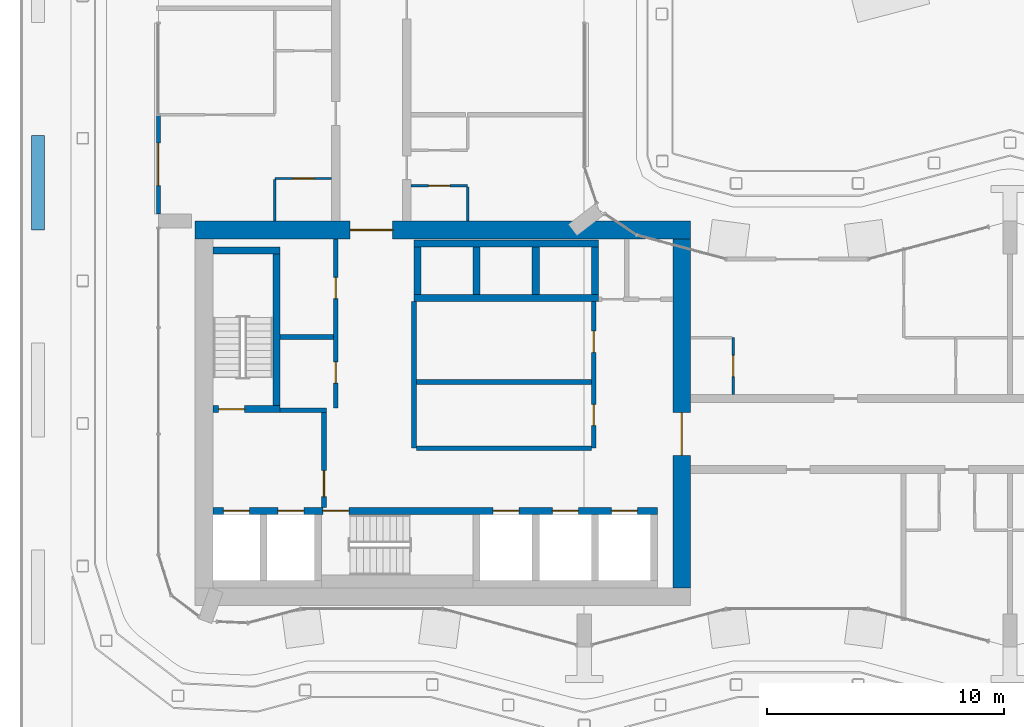
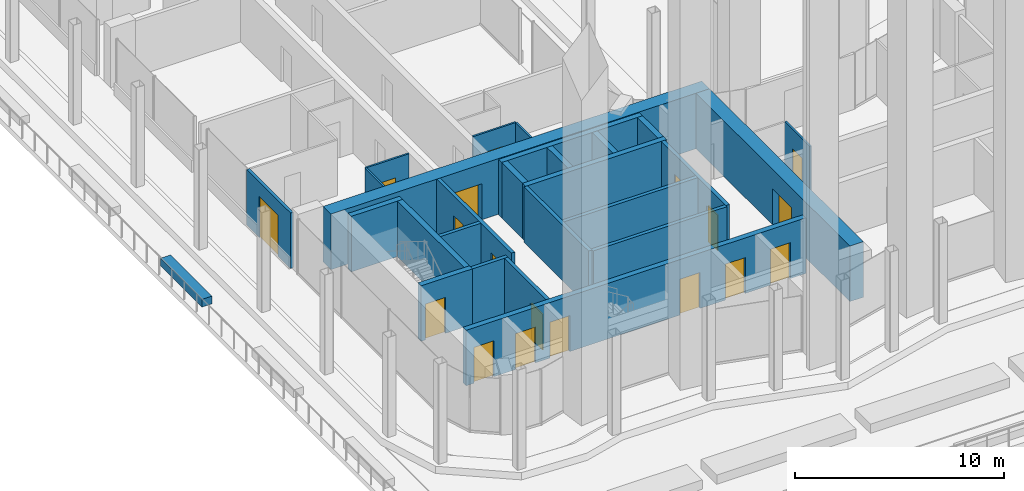
# One storey, part 23 of 33: 27 walls, 18 doors, 18 openings.
"""IFC4 building model written with IfcOpenShell, lengths in metres."""

import ifcopenshell
import ifcopenshell.guid

model = None  # the IFC model being written
_history = None  # IfcOwnerHistory: only IFC2X3 demands one
_inside = {}  # id of a spatial element -> (the spatial element, [elements in it])
_under = {}  # id of a project, library or spatial element -> (it, [spatial elements below it])
_declared = {}  # id of a project -> (the project, [libraries it declares])
_typed = {}  # id of a type object -> (the type object, [elements of that type])
_made_of = {}  # id of a material, layer set ... -> (it, [elements and type objects made of it])


def new_model(schema):
    """Start an empty IFC model of exactly this schema.

    Asked for "IFC4X3", IfcOpenShell would pick the latest addendum, in which some entities
    have other attributes; the version numbers below select the first issue.
    IFC2X3 requires an IfcOwnerHistory on every rooted entity: one is made here for all.
    """
    global model, _history
    if schema == "IFC4X3":
        model = ifcopenshell.file(schema_version=(4, 3, 0, 0))
    else:
        model = ifcopenshell.file(schema=schema)
    _inside.clear()
    _under.clear()
    _declared.clear()
    _typed.clear()
    _made_of.clear()
    _history = None
    if model.schema == "IFC2X3":
        org = make("IfcOrganization", Name="unknown")
        user = make(
            "IfcPersonAndOrganization",
            ThePerson=make("IfcPerson", FamilyName="unknown"),
            TheOrganization=org,
        )
        app = make(
            "IfcApplication",
            ApplicationDeveloper=org,
            Version="unknown",
            ApplicationFullName="unknown",
            ApplicationIdentifier="unknown",
        )
        _history = make(
            "IfcOwnerHistory",
            OwningUser=user,
            OwningApplication=app,
            ChangeAction="ADDED",
            CreationDate=0,
        )
    return model


def make(cls, **values):
    """One entity of the class cls with the attributes given. An attribute that is None is left unset."""
    return model.create_entity(
        cls, **{name: value for name, value in values.items() if value is not None}
    )


def rooted(cls, **values):
    """An entity with a GlobalId (a new one), such as an element, a storey or a relation."""
    return make(cls, GlobalId=ifcopenshell.guid.new(), OwnerHistory=_history, **values)


def si_unit(unit_type, name, prefix=None):
    """IfcSIUnit, for example si_unit("LENGTHUNIT", "METRE", prefix="MILLI")."""
    return make("IfcSIUnit", UnitType=unit_type, Prefix=prefix, Name=name)


def assignment(units):
    """IfcUnitAssignment: the units of a project."""
    return None if units is None else make("IfcUnitAssignment", Units=units)


def point(xyz):
    """IfcCartesianPoint."""
    return None if xyz is None else make("IfcCartesianPoint", Coordinates=xyz)


def direction(xyz):
    """IfcDirection."""
    return None if xyz is None else make("IfcDirection", DirectionRatios=xyz)


def frame(location, z_axis=None, x_axis=None):
    """IfcAxis2Placement3D, a coordinate frame: its origin and axes. An axis left out is left unset."""
    return make(
        "IfcAxis2Placement3D",
        Location=point(location),
        Axis=direction(z_axis),
        RefDirection=direction(x_axis),
    )


def frame_2d(location, x_axis=None):
    """IfcAxis2Placement2D, a coordinate frame in the plane: its origin and x axis."""
    return make(
        "IfcAxis2Placement2D", Location=point(location), RefDirection=direction(x_axis)
    )


def origin():
    """The frame at (0, 0, 0) with its axes left unset."""
    return frame((0.0, 0.0, 0.0))


def place(relative_to, where):
    """IfcLocalPlacement: puts the frame where relative to a parent placement (None: the world)."""
    return make(
        "IfcLocalPlacement", PlacementRelTo=relative_to, RelativePlacement=where
    )


def context(
    kind, dimensions, precision=None, world=None, true_north=None, identifier=None
):
    """IfcGeometricRepresentationContext, for example the 3D "Model" context."""
    return make(
        "IfcGeometricRepresentationContext",
        ContextIdentifier=identifier,
        ContextType=kind,
        CoordinateSpaceDimension=dimensions,
        Precision=precision,
        WorldCoordinateSystem=world,
        TrueNorth=true_north,
    )


def subcontext(parent, identifier, kind, view, scale=None):
    """IfcGeometricRepresentationSubContext, for example "Body" below "Model"."""
    return make(
        "IfcGeometricRepresentationSubContext",
        ContextIdentifier=identifier,
        ContextType=kind,
        ParentContext=parent,
        TargetScale=scale,
        TargetView=view,
    )


def project(units=None, contexts=None):
    """IfcProject with its units and contexts."""
    return rooted(
        "IfcProject",
        Name="project",
        RepresentationContexts=contexts,
        UnitsInContext=assignment(units),
    )


def spatial(cls, under=None, at=None, **own):
    """A site, building, storey or space (cls), placed at a placement, below another one or the project."""
    s = rooted(cls, ObjectPlacement=at, **own)
    if under is not None:
        _under.setdefault(under.id(), (under, []))[1].append(s)
    return s


def profile(cls, at=None, kind="AREA", **sizes):
    """A parametric profile (cls). Its sizes go by their IFC names, for example OverallWidth=200.0."""
    return make(cls, ProfileType=kind, Position=at, **sizes)


def rectangle(**sizes):
    """IfcRectangleProfileDef."""
    return profile("IfcRectangleProfileDef", **sizes)


def extrude(swept, where, along, depth):
    """IfcExtrudedAreaSolid: the profile swept, set in the frame where, extruded along a direction by depth."""
    return make(
        "IfcExtrudedAreaSolid",
        SweptArea=swept,
        Position=where,
        ExtrudedDirection=direction(along),
        Depth=depth,
    )


def shape(context_of_items, identifier, shape_type, items):
    """IfcShapeRepresentation: the items that make up one representation, for example the "Body"."""
    return make(
        "IfcShapeRepresentation",
        ContextOfItems=context_of_items,
        RepresentationIdentifier=identifier,
        RepresentationType=shape_type,
        Items=items,
    )


def material(Name=None, Category=None):
    """IfcMaterial."""
    return make("IfcMaterial", Name=Name, Category=Category)


def layer(
    of_material, thickness, ventilated=None, Name=None, Category=None, Priority=None
):
    """IfcMaterialLayer: one layer of a wall or slab, of a material (None: an air gap)."""
    return make(
        "IfcMaterialLayer",
        Material=of_material,
        LayerThickness=thickness,
        IsVentilated=ventilated,
        Name=Name,
        Category=Category,
        Priority=Priority,
    )


def layer_set(layers, Name=None):
    """IfcMaterialLayerSet."""
    return make("IfcMaterialLayerSet", MaterialLayers=layers, LayerSetName=Name)


def made_of(thing, what):
    """Note that an element or type object is made of a material, layer set ...; save() writes the relation."""
    if what is not None:
        _made_of.setdefault(what.id(), (what, []))[1].append(thing)
    return thing


def type_object(cls, material=None, **own):
    """A type object (cls), such as IfcWallType, which elements share."""
    return made_of(rooted(cls, **own), material)


def element(
    cls,
    number,
    at=None,
    inside=None,
    cuts=None,
    type_object=None,
    material=None,
    context=None,
    identifier="Body",
    shape_type=None,
    held_by="IfcProductDefinitionShape",
    body=None,
    shapes=None,
    **own,
):
    """One element of the class cls, such as IfcWall. Its Tag is "e" and its number.

    at: its placement. inside: the storey or other place that contains it. cuts: it is an
    opening in that element (IfcRelVoidsElement). A single representation is given by context,
    identifier, shape_type and body (its items); several are given by shapes. held_by: the class
    of the entity that holds the representations. save() writes the other relations.
    """
    e = rooted(cls, Tag="e%d" % number, ObjectPlacement=at, **own)
    if body is not None:
        shapes = [shape(context, identifier, shape_type, body)]
    if shapes is not None:
        e.Representation = make(held_by, Representations=shapes)
    if inside is not None:
        _inside.setdefault(inside.id(), (inside, []))[1].append(e)
    if cuts is not None:
        rooted(
            "IfcRelVoidsElement", RelatingBuildingElement=cuts, RelatedOpeningElement=e
        )
    if type_object is not None:
        _typed.setdefault(type_object.id(), (type_object, []))[1].append(e)
    return made_of(e, material)


def fill(opening, filler):
    """IfcRelFillsElement: the door or window that sits in an opening."""
    return rooted(
        "IfcRelFillsElement",
        RelatingOpeningElement=opening,
        RelatedBuildingElement=filler,
    )


def aggregate(whole, parts):
    """IfcRelAggregates: a whole, such as a stair, and the parts it consists of."""
    return rooted("IfcRelAggregates", RelatingObject=whole, RelatedObjects=parts)


def save(model, path):
    """Write the relations noted so far, then the file.

    IfcRelAggregates (storeys below a building ...), IfcRelContainedInSpatialStructure (elements
    in a storey), IfcRelDefinesByType, IfcRelAssociatesMaterial and IfcRelDeclares: one each for
    every whole, place, type object, material and project.
    """
    for whole, parts in _under.values():
        aggregate(whole, parts)
    for where, things in _inside.values():
        rooted(
            "IfcRelContainedInSpatialStructure",
            RelatedElements=things,
            RelatingStructure=where,
        )
    for kind, things in _typed.values():
        rooted("IfcRelDefinesByType", RelatedObjects=things, RelatingType=kind)
    for what, things in _made_of.values():
        rooted("IfcRelAssociatesMaterial", RelatedObjects=things, RelatingMaterial=what)
    for by, libraries in _declared.values():
        rooted("IfcRelDeclares", RelatingContext=by, RelatedDefinitions=libraries)
    model.write(path)


model = new_model("IFC4")

# Units and contexts
model_context = context("Model", 3, precision=1e-05, world=origin(), true_north=direction((0.0, 1.0)))
body_context = subcontext(model_context, "Body", "Model", "MODEL_VIEW")
ifc_project = project(units=[si_unit("LENGTHUNIT", "METRE"), si_unit("AREAUNIT", "SQUARE_METRE"), si_unit("VOLUMEUNIT", "CUBIC_METRE"), si_unit("PLANEANGLEUNIT", "RADIAN"), si_unit("MASSUNIT", "GRAM", prefix="KILO")], contexts=[model_context])

# Site, building, storey
site_placement = place(None, origin())
site = spatial("IfcSite", under=ifc_project, at=site_placement, CompositionType="ELEMENT")
building_placement = place(site_placement, origin())
building = spatial("IfcBuilding", under=site, at=building_placement, Name="Plateau Cross Towers", CompositionType="ELEMENT")
storey_placement = place(building_placement, frame((0.0, 0.0, 26.800048828125)))
storey = spatial("IfcBuildingStorey", under=building, at=storey_placement, Name="L05", CompositionType="ELEMENT", Elevation=26.800048828125)

# Wall, opening, door
ifc_material_1 = material(Name="Concrete block, plastered both sides", Category="concrete")
ifc_layer_1 = layer(ifc_material_1, 0.199951171875)
ifc_layer_set_1 = layer_set([ifc_layer_1], Name="Concrete block, plastered both sides")
wall_type_1 = type_object("IfcWallType", Name="Core partition 200", PredefinedType="PARTITIONING", material=ifc_layer_set_1)
wall_1_placement = place(storey_placement, frame((7.0, 5.89990234375, 0.0), z_axis=(0.0, 0.0, 1.0), x_axis=(0.0, 1.0, 0.0)))
wall_1 = element("IfcWall", 1, at=wall_1_placement, inside=storey, type_object=wall_type_1, Name="Core partition", PredefinedType="PARTITIONING", context=body_context, shape_type="SweptSolid", body=[
    extrude(rectangle(XDim=4.0, YDim=0.199951171875, at=frame_2d((2.0, 0.0))), origin(), (0.0, 0.0, 1.0), 3.25),
])
opening_1_placement = place(wall_1_placement, frame((0.449951171875, 0.0, 0.0)))
opening_1 = element("IfcOpeningElement", 2, at=opening_1_placement, cuts=wall_1, Name="Opening FFD", PredefinedType="OPENING", context=body_context, shape_type="SweptSolid", body=[
    extrude(rectangle(XDim=1.10009765625, YDim=2.10009765625, at=frame_2d((0.550048828125, 1.050048828125))), frame((0.0, 0.10986328125, 0.0), z_axis=(0.0, -1.0, 0.0), x_axis=(1.0, 0.0, 0.0)), (0.0, 0.0, 1.0), 0.219970703125),
])
ifc_material_2 = material(Name="Steel, fire-resisting leaf", Category="steel")
door_type_1 = type_object("IfcDoorType", Name="Firefighting lobby door 1100", OperationType="NOTDEFINED", PredefinedType="DOOR", material=ifc_material_2)
door_1_placement = place(opening_1_placement, origin())
door_1 = element("IfcDoor", 3, at=door_1_placement, inside=storey, type_object=door_type_1, Name="Firefighting lobby door FFD", OperationType="SINGLE_SWING_LEFT", OverallHeight=2.10009765625, OverallWidth=1.10009765625, PredefinedType="DOOR", context=body_context, shape_type="SweptSolid", body=[
    extrude(rectangle(XDim=1.10009765625, YDim=2.10009765625, at=frame_2d((0.550048828125, 1.050048828125))), frame((0.0, 0.02490234375, 0.0), z_axis=(0.0, -1.0, 0.0), x_axis=(1.0, 0.0, 0.0)), (0.0, 0.0, 1.0), 0.050048828125),
])
fill(opening_1, door_1)

# Walls
wall_2_placement = place(storey_placement, frame((5.14990234375, 10.0, 0.0), z_axis=(0.0, 0.0, 1.0), x_axis=(1.0, 0.0, 0.0)))
element("IfcWall", 4, at=wall_2_placement, inside=storey, type_object=wall_type_1, Name="Core partition", PredefinedType="PARTITIONING", context=body_context, shape_type="SweptSolid", body=[
    extrude(rectangle(XDim=1.9501953125, YDim=0.199951171875, at=frame_2d((0.97509765625, 0.0))), origin(), (0.0, 0.0, 1.0), 3.25),
])
wall_3_placement = place(storey_placement, frame((10.800048828125, 8.39990234375, 0.0), z_axis=(0.0, 0.0, 1.0), x_axis=(0.0, 1.0, 0.0)))
element("IfcWall", 5, at=wall_3_placement, inside=storey, type_object=wall_type_1, Name="Core partition", PredefinedType="PARTITIONING", context=body_context, shape_type="SweptSolid", body=[
    extrude(rectangle(XDim=6.2001953125, YDim=0.199951171875, at=frame_2d((3.10009765625, 0.0))), origin(), (0.0, 0.0, 1.0), 3.25),
])
wall_4_placement = place(storey_placement, frame((10.89990234375, 8.39990234375, 0.0), z_axis=(0.0, 0.0, 1.0), x_axis=(1.0, 0.0, 0.0)))
element("IfcWall", 6, at=wall_4_placement, inside=storey, type_object=wall_type_1, Name="Core partition", PredefinedType="PARTITIONING", context=body_context, shape_type="SweptSolid", body=[
    extrude(rectangle(XDim=7.400146484375, YDim=0.199951171875, at=frame_2d((3.7001953125, 0.0))), origin(), (0.0, 0.0, 1.0), 3.25),
])

# Wall, openings, doors
wall_5_placement = place(storey_placement, frame((18.39990234375, 8.39990234375, 0.0), z_axis=(0.0, 0.0, 1.0), x_axis=(0.0, 1.0, 0.0)))
wall_5 = element("IfcWall", 7, at=wall_5_placement, inside=storey, type_object=wall_type_1, Name="Core partition", PredefinedType="PARTITIONING", context=body_context, shape_type="SweptSolid", body=[
    extrude(rectangle(XDim=6.2001953125, YDim=0.199951171875, at=frame_2d((3.10009765625, 0.0))), origin(), (0.0, 0.0, 1.0), 3.25),
])
opening_2_placement = place(wall_5_placement, frame((0.949951171875, 0.0, 0.0)))
opening_2 = element("IfcOpeningElement", 8, at=opening_2_placement, cuts=wall_5, Name="Opening RD1", PredefinedType="OPENING", context=body_context, shape_type="SweptSolid", body=[
    extrude(rectangle(XDim=0.89990234375, YDim=2.10009765625, at=frame_2d((0.449951171875, 1.050048828125))), frame((0.0, 0.10986328125, 0.0), z_axis=(0.0, -1.0, 0.0), x_axis=(1.0, 0.0, 0.0)), (0.0, 0.0, 1.0), 0.219970703125),
])
opening_3_placement = place(wall_5_placement, frame((4.050048828125, 0.0, 0.0)))
opening_3 = element("IfcOpeningElement", 9, at=opening_3_placement, cuts=wall_5, Name="Opening RD1", PredefinedType="OPENING", context=body_context, shape_type="SweptSolid", body=[
    extrude(rectangle(XDim=0.89990234375, YDim=2.10009765625, at=frame_2d((0.449951171875, 1.050048828125))), frame((0.0, 0.10986328125, 0.0), z_axis=(0.0, -1.0, 0.0), x_axis=(1.0, 0.0, 0.0)), (0.0, 0.0, 1.0), 0.219970703125),
])
ifc_material_3 = material(Name="Timber, fire-resisting leaf", Category="wood")
door_type_2 = type_object("IfcDoorType", Name="Core service door 900", OperationType="NOTDEFINED", PredefinedType="DOOR", material=ifc_material_3)
door_2_placement = place(opening_2_placement, origin())
door_2 = element("IfcDoor", 10, at=door_2_placement, inside=storey, type_object=door_type_2, Name="Core service door RD1", OperationType="SINGLE_SWING_LEFT", OverallHeight=2.10009765625, OverallWidth=0.89990234375, PredefinedType="DOOR", context=body_context, shape_type="SweptSolid", body=[
    extrude(rectangle(XDim=0.89990234375, YDim=2.10009765625, at=frame_2d((0.449951171875, 1.050048828125))), frame((0.0, 0.02490234375, 0.0), z_axis=(0.0, -1.0, 0.0), x_axis=(1.0, 0.0, 0.0)), (0.0, 0.0, 1.0), 0.050048828125),
])
fill(opening_2, door_2)
door_3_placement = place(opening_3_placement, origin())
door_3 = element("IfcDoor", 11, at=door_3_placement, inside=storey, type_object=door_type_2, Name="Core service door RD1", OperationType="SINGLE_SWING_LEFT", OverallHeight=2.10009765625, OverallWidth=0.89990234375, PredefinedType="DOOR", context=body_context, shape_type="SweptSolid", body=[
    extrude(rectangle(XDim=0.89990234375, YDim=2.10009765625, at=frame_2d((0.449951171875, 1.050048828125))), frame((0.0, 0.02490234375, 0.0), z_axis=(0.0, -1.0, 0.0), x_axis=(1.0, 0.0, 0.0)), (0.0, 0.0, 1.0), 0.050048828125),
])
fill(opening_3, door_3)

# Wall
wall_6_placement = place(storey_placement, frame((10.89990234375, 11.199951171875, 0.0), z_axis=(0.0, 0.0, 1.0), x_axis=(1.0, 0.0, 0.0)))
element("IfcWall", 12, at=wall_6_placement, inside=storey, type_object=wall_type_1, Name="Core partition", PredefinedType="PARTITIONING", context=body_context, shape_type="SweptSolid", body=[
    extrude(rectangle(XDim=7.400146484375, YDim=0.199951171875, at=frame_2d((3.7001953125, 0.0))), origin(), (0.0, 0.0, 1.0), 3.25),
])

# Wall, openings, doors
wall_7_placement = place(storey_placement, frame((7.5, 10.10009765625, 0.0), z_axis=(0.0, 0.0, 1.0), x_axis=(0.0, 1.0, 0.0)))
wall_7 = element("IfcWall", 13, at=wall_7_placement, inside=storey, type_object=wall_type_1, Name="Core partition", PredefinedType="PARTITIONING", context=body_context, shape_type="SweptSolid", body=[
    extrude(rectangle(XDim=7.14990234375, YDim=0.199951171875, at=frame_2d((3.574951171875, 0.0))), origin(), (0.0, 0.0, 1.0), 3.25),
])
opening_4_placement = place(wall_7_placement, frame((1.050048828125, 0.0, 0.0)))
opening_4 = element("IfcOpeningElement", 14, at=opening_4_placement, cuts=wall_7, Name="Opening RD1", PredefinedType="OPENING", context=body_context, shape_type="SweptSolid", body=[
    extrude(rectangle(XDim=0.89990234375, YDim=2.10009765625, at=frame_2d((0.449951171875, 1.050048828125))), frame((0.0, 0.10986328125, 0.0), z_axis=(0.0, -1.0, 0.0), x_axis=(1.0, 0.0, 0.0)), (0.0, 0.0, 1.0), 0.219970703125),
])
opening_5_placement = place(wall_7_placement, frame((4.625, 0.0, 0.0)))
opening_5 = element("IfcOpeningElement", 15, at=opening_5_placement, cuts=wall_7, Name="Opening RD1", PredefinedType="OPENING", context=body_context, shape_type="SweptSolid", body=[
    extrude(rectangle(XDim=0.89990234375, YDim=2.10009765625, at=frame_2d((0.449951171875, 1.050048828125))), frame((0.0, 0.10986328125, 0.0), z_axis=(0.0, -1.0, 0.0), x_axis=(1.0, 0.0, 0.0)), (0.0, 0.0, 1.0), 0.219970703125),
])
door_4_placement = place(opening_4_placement, origin())
door_4 = element("IfcDoor", 16, at=door_4_placement, inside=storey, type_object=door_type_2, Name="Core service door RD1", OperationType="SINGLE_SWING_RIGHT", OverallHeight=2.10009765625, OverallWidth=0.89990234375, PredefinedType="DOOR", context=body_context, shape_type="SweptSolid", body=[
    extrude(rectangle(XDim=0.89990234375, YDim=2.10009765625, at=frame_2d((0.449951171875, 1.050048828125))), frame((0.0, 0.02490234375, 0.0), z_axis=(0.0, -1.0, 0.0), x_axis=(1.0, 0.0, 0.0)), (0.0, 0.0, 1.0), 0.050048828125),
])
fill(opening_4, door_4)
door_5_placement = place(opening_5_placement, origin())
door_5 = element("IfcDoor", 17, at=door_5_placement, inside=storey, type_object=door_type_2, Name="Core service door RD1", OperationType="SINGLE_SWING_RIGHT", OverallHeight=2.10009765625, OverallWidth=0.89990234375, PredefinedType="DOOR", context=body_context, shape_type="SweptSolid", body=[
    extrude(rectangle(XDim=0.89990234375, YDim=2.10009765625, at=frame_2d((0.449951171875, 1.050048828125))), frame((0.0, 0.02490234375, 0.0), z_axis=(0.0, -1.0, 0.0), x_axis=(1.0, 0.0, 0.0)), (0.0, 0.0, 1.0), 0.050048828125),
])
fill(opening_5, door_5)

# Wall
wall_8_placement = place(storey_placement, frame((5.14990234375, 13.10009765625, 0.0), z_axis=(0.0, 0.0, 1.0), x_axis=(1.0, 0.0, 0.0)))
element("IfcWall", 18, at=wall_8_placement, inside=storey, type_object=wall_type_1, Name="Core partition", PredefinedType="PARTITIONING", context=body_context, shape_type="SweptSolid", body=[
    extrude(rectangle(XDim=2.25, YDim=0.199951171875, at=frame_2d((1.125, 0.0))), origin(), (0.0, 0.0, 1.0), 3.25),
])

# Wall, openings, doors
ifc_material_4 = material(Name="Concrete C60/75", Category="concrete")
ifc_layer_2 = layer(ifc_material_4, 0.300048828125)
ifc_layer_set_2 = layer_set([ifc_layer_2], Name="Concrete C60/75")
wall_type_2 = type_object("IfcWallType", Name="Core shaft wall 300", PredefinedType="SHEAR", material=ifc_layer_set_2)
wall_9_placement = place(storey_placement, frame((2.300048828125, 5.75, 0.0), z_axis=(0.0, 0.0, 1.0), x_axis=(1.0, 0.0, 0.0)))
wall_9 = element("IfcWall", 19, at=wall_9_placement, inside=storey, type_object=wall_type_2, Name="A-sb-front@L05", PredefinedType="SHEAR", context=body_context, shape_type="SweptSolid", body=[
    extrude(rectangle(XDim=18.800048828125, YDim=0.300048828125, at=frame_2d((9.39990234375, 0.0))), origin(), (0.0, 0.0, 1.0), 3.25),
])
opening_6_placement = place(wall_9_placement, frame((4.64990234375, 0.0, 0.0)))
opening_6 = element("IfcOpeningElement", 20, at=opening_6_placement, cuts=wall_9, Name="Opening SD", PredefinedType="OPENING", context=body_context, shape_type="SweptSolid", body=[
    extrude(rectangle(XDim=1.10009765625, YDim=2.10009765625, at=frame_2d((0.550048828125, 1.050048828125))), frame((0.0, 0.159912109375, 0.0), z_axis=(0.0, -1.0, 0.0), x_axis=(1.0, 0.0, 0.0)), (0.0, 0.0, 1.0), 0.320068359375),
])
opening_7_placement = place(wall_9_placement, frame((0.449951171875, 0.0, 0.0)))
opening_7 = element("IfcOpeningElement", 21, at=opening_7_placement, cuts=wall_9, Name="Opening LD", PredefinedType="OPENING", context=body_context, shape_type="SweptSolid", body=[
    extrude(rectangle(XDim=1.10009765625, YDim=2.10009765625, at=frame_2d((0.550048828125, 1.050048828125))), frame((0.0, 0.159912109375, 0.0), z_axis=(0.0, -1.0, 0.0), x_axis=(1.0, 0.0, 0.0)), (0.0, 0.0, 1.0), 0.320068359375),
])
opening_8_placement = place(wall_9_placement, frame((2.75, 0.0, 0.0)))
opening_8 = element("IfcOpeningElement", 22, at=opening_8_placement, cuts=wall_9, Name="Opening LD", PredefinedType="OPENING", context=body_context, shape_type="SweptSolid", body=[
    extrude(rectangle(XDim=1.10009765625, YDim=2.10009765625, at=frame_2d((0.550048828125, 1.050048828125))), frame((0.0, 0.159912109375, 0.0), z_axis=(0.0, -1.0, 0.0), x_axis=(1.0, 0.0, 0.0)), (0.0, 0.0, 1.0), 0.320068359375),
])
opening_9_placement = place(wall_9_placement, frame((11.85009765625, 0.0, 0.0)))
opening_9 = element("IfcOpeningElement", 23, at=opening_9_placement, cuts=wall_9, Name="Opening LD", PredefinedType="OPENING", context=body_context, shape_type="SweptSolid", body=[
    extrude(rectangle(XDim=1.10009765625, YDim=2.10009765625, at=frame_2d((0.550048828125, 1.050048828125))), frame((0.0, 0.159912109375, 0.0), z_axis=(0.0, -1.0, 0.0), x_axis=(1.0, 0.0, 0.0)), (0.0, 0.0, 1.0), 0.320068359375),
])
opening_10_placement = place(wall_9_placement, frame((14.35009765625, 0.0, 0.0)))
opening_10 = element("IfcOpeningElement", 24, at=opening_10_placement, cuts=wall_9, Name="Opening LD", PredefinedType="OPENING", context=body_context, shape_type="SweptSolid", body=[
    extrude(rectangle(XDim=1.10009765625, YDim=2.10009765625, at=frame_2d((0.550048828125, 1.050048828125))), frame((0.0, 0.159912109375, 0.0), z_axis=(0.0, -1.0, 0.0), x_axis=(1.0, 0.0, 0.0)), (0.0, 0.0, 1.0), 0.320068359375),
])
opening_11_placement = place(wall_9_placement, frame((16.85009765625, 0.0, 0.0)))
opening_11 = element("IfcOpeningElement", 25, at=opening_11_placement, cuts=wall_9, Name="Opening LD", PredefinedType="OPENING", context=body_context, shape_type="SweptSolid", body=[
    extrude(rectangle(XDim=1.10009765625, YDim=2.10009765625, at=frame_2d((0.550048828125, 1.050048828125))), frame((0.0, 0.159912109375, 0.0), z_axis=(0.0, -1.0, 0.0), x_axis=(1.0, 0.0, 0.0)), (0.0, 0.0, 1.0), 0.320068359375),
])
ifc_material_5 = material(Name="Stainless steel, fire-resisting sliding leaves", Category="steel")
door_type_3 = type_object("IfcDoorType", Name="Lift landing door 1100", OperationType="NOTDEFINED", PredefinedType="DOOR", material=ifc_material_5)
door_6_placement = place(opening_7_placement, origin())
door_6 = element("IfcDoor", 26, at=door_6_placement, inside=storey, type_object=door_type_3, Name="Lift landing door LD", OperationType="DOUBLE_DOOR_SLIDING", OverallHeight=2.10009765625, OverallWidth=1.10009765625, PredefinedType="DOOR", context=body_context, shape_type="SweptSolid", body=[
    extrude(rectangle(XDim=1.10009765625, YDim=2.10009765625, at=frame_2d((0.550048828125, 1.050048828125))), frame((0.0, 0.02490234375, 0.0), z_axis=(0.0, -1.0, 0.0), x_axis=(1.0, 0.0, 0.0)), (0.0, 0.0, 1.0), 0.050048828125),
])
fill(opening_7, door_6)
door_7_placement = place(opening_8_placement, origin())
door_7 = element("IfcDoor", 27, at=door_7_placement, inside=storey, type_object=door_type_3, Name="Lift landing door LD", OperationType="DOUBLE_DOOR_SLIDING", OverallHeight=2.10009765625, OverallWidth=1.10009765625, PredefinedType="DOOR", context=body_context, shape_type="SweptSolid", body=[
    extrude(rectangle(XDim=1.10009765625, YDim=2.10009765625, at=frame_2d((0.550048828125, 1.050048828125))), frame((0.0, 0.02490234375, 0.0), z_axis=(0.0, -1.0, 0.0), x_axis=(1.0, 0.0, 0.0)), (0.0, 0.0, 1.0), 0.050048828125),
])
fill(opening_8, door_7)
door_8_placement = place(opening_9_placement, origin())
door_8 = element("IfcDoor", 28, at=door_8_placement, inside=storey, type_object=door_type_3, Name="Lift landing door LD", OperationType="DOUBLE_DOOR_SLIDING", OverallHeight=2.10009765625, OverallWidth=1.10009765625, PredefinedType="DOOR", context=body_context, shape_type="SweptSolid", body=[
    extrude(rectangle(XDim=1.10009765625, YDim=2.10009765625, at=frame_2d((0.550048828125, 1.050048828125))), frame((0.0, 0.02490234375, 0.0), z_axis=(0.0, -1.0, 0.0), x_axis=(1.0, 0.0, 0.0)), (0.0, 0.0, 1.0), 0.050048828125),
])
fill(opening_9, door_8)
door_9_placement = place(opening_10_placement, origin())
door_9 = element("IfcDoor", 29, at=door_9_placement, inside=storey, type_object=door_type_3, Name="Lift landing door LD", OperationType="DOUBLE_DOOR_SLIDING", OverallHeight=2.10009765625, OverallWidth=1.10009765625, PredefinedType="DOOR", context=body_context, shape_type="SweptSolid", body=[
    extrude(rectangle(XDim=1.10009765625, YDim=2.10009765625, at=frame_2d((0.550048828125, 1.050048828125))), frame((0.0, 0.02490234375, 0.0), z_axis=(0.0, -1.0, 0.0), x_axis=(1.0, 0.0, 0.0)), (0.0, 0.0, 1.0), 0.050048828125),
])
fill(opening_10, door_9)
door_10_placement = place(opening_11_placement, origin())
door_10 = element("IfcDoor", 30, at=door_10_placement, inside=storey, type_object=door_type_3, Name="Lift landing door LD", OperationType="DOUBLE_DOOR_SLIDING", OverallHeight=2.10009765625, OverallWidth=1.10009765625, PredefinedType="DOOR", context=body_context, shape_type="SweptSolid", body=[
    extrude(rectangle(XDim=1.10009765625, YDim=2.10009765625, at=frame_2d((0.550048828125, 1.050048828125))), frame((0.0, 0.02490234375, 0.0), z_axis=(0.0, -1.0, 0.0), x_axis=(1.0, 0.0, 0.0)), (0.0, 0.0, 1.0), 0.050048828125),
])
fill(opening_11, door_10)
door_type_4 = type_object("IfcDoorType", Name="Stair door 1100", OperationType="NOTDEFINED", PredefinedType="DOOR", material=ifc_material_2)
door_11_placement = place(opening_6_placement, origin())
door_11 = element("IfcDoor", 31, at=door_11_placement, inside=storey, type_object=door_type_4, Name="Stair door SD", OperationType="SINGLE_SWING_LEFT", OverallHeight=2.10009765625, OverallWidth=1.10009765625, PredefinedType="DOOR", context=body_context, shape_type="SweptSolid", body=[
    extrude(rectangle(XDim=1.10009765625, YDim=2.10009765625, at=frame_2d((0.550048828125, 1.050048828125))), frame((0.0, 0.02490234375, 0.0), z_axis=(0.0, -1.0, 0.0), x_axis=(1.0, 0.0, 0.0)), (0.0, 0.0, 1.0), 0.050048828125),
])
fill(opening_6, door_11)

# Wall, opening, door
wall_10_placement = place(storey_placement, frame((2.300048828125, 10.050048828125, 0.0), z_axis=(0.0, 0.0, 1.0), x_axis=(1.0, 0.0, 0.0)))
wall_10 = element("IfcWall", 32, at=wall_10_placement, inside=storey, type_object=wall_type_2, Name="A-st1-S@L05", PredefinedType="SHEAR", context=body_context, shape_type="SweptSolid", body=[
    extrude(rectangle(XDim=2.849853515625, YDim=0.300048828125, at=frame_2d((1.4248046875, 0.0))), origin(), (0.0, 0.0, 1.0), 3.25),
])
opening_12_placement = place(wall_10_placement, frame((0.25, 0.0, 0.0)))
opening_12 = element("IfcOpeningElement", 33, at=opening_12_placement, cuts=wall_10, Name="Opening SD", PredefinedType="OPENING", context=body_context, shape_type="SweptSolid", body=[
    extrude(rectangle(XDim=1.10009765625, YDim=2.10009765625, at=frame_2d((0.550048828125, 1.050048828125))), frame((0.0, 0.159912109375, 0.0), z_axis=(0.0, -1.0, 0.0), x_axis=(1.0, 0.0, 0.0)), (0.0, 0.0, 1.0), 0.320068359375),
])
door_12_placement = place(opening_12_placement, origin())
door_12 = element("IfcDoor", 34, at=door_12_placement, inside=storey, type_object=door_type_4, Name="Stair door SD", OperationType="SINGLE_SWING_RIGHT", OverallHeight=2.10009765625, OverallWidth=1.10009765625, PredefinedType="DOOR", context=body_context, shape_type="SweptSolid", body=[
    extrude(rectangle(XDim=1.10009765625, YDim=2.10009765625, at=frame_2d((0.550048828125, 1.050048828125))), frame((0.0, 0.02490234375, 0.0), z_axis=(0.0, -1.0, 0.0), x_axis=(1.0, 0.0, 0.0)), (0.0, 0.0, 1.0), 0.050048828125),
])
fill(opening_12, door_12)

# Walls
wall_11_placement = place(storey_placement, frame((5.0, 10.199951171875, 0.0), z_axis=(0.0, 0.0, 1.0), x_axis=(0.0, 1.0, 0.0)))
element("IfcWall", 35, at=wall_11_placement, inside=storey, type_object=wall_type_2, Name="A-st1-E@L05", PredefinedType="SHEAR", context=body_context, shape_type="SweptSolid", body=[
    extrude(rectangle(XDim=6.400146484375, YDim=0.300048828125, at=frame_2d((3.2001953125, 0.0))), origin(), (0.0, 0.0, 1.0), 3.25),
])
wall_12_placement = place(storey_placement, frame((2.300048828125, 16.75, 0.0), z_axis=(0.0, 0.0, 1.0), x_axis=(1.0, 0.0, 0.0)))
element("IfcWall", 36, at=wall_12_placement, inside=storey, type_object=wall_type_2, Name="A-st1-N@L05", PredefinedType="SHEAR", context=body_context, shape_type="SweptSolid", body=[
    extrude(rectangle(XDim=2.849853515625, YDim=0.300048828125, at=frame_2d((1.4248046875, 0.0))), origin(), (0.0, 0.0, 1.0), 3.25),
])
for number, where, z_axis, x_axis, name in (
    (37, (10.800048828125, 17.050048828125, 0.0), (0.0, 0.0, 1.0), (1.0, 0.0, 0.0), "A-nb-back@L05"),
    (38, (10.800048828125, 14.75, 0.0), (0.0, 0.0, 1.0), (1.0, 0.0, 0.0), "A-nb-front@L05"),
):
    element("IfcWall", number, at=place(storey_placement, frame(where, z_axis=z_axis, x_axis=x_axis)), inside=storey, type_object=wall_type_2, Name=name, PredefinedType="SHEAR", context=body_context, shape_type="SweptSolid", body=[
        extrude(rectangle(XDim=7.800048828125, YDim=0.300048828125, at=frame_2d((3.89990234375, 0.0))), origin(), (0.0, 0.0, 1.0), 3.25),
    ])
for number, where, z_axis, x_axis, name in (
    (39, (10.949951171875, 14.89990234375, 0.0), (0.0, 0.0, 1.0), (0.0, 1.0, 0.0), "A-nb-v1@L05"),
    (40, (13.449951171875, 14.89990234375, 0.0), (0.0, 0.0, 1.0), (0.0, 1.0, 0.0), "A-nb-v2@L05"),
    (41, (15.949951171875, 14.89990234375, 0.0), (0.0, 0.0, 1.0), (0.0, 1.0, 0.0), "A-nb-v3@L05"),
    (42, (18.449951171875, 14.89990234375, 0.0), (0.0, 0.0, 1.0), (0.0, 1.0, 0.0), "A-nb-v4@L05"),
):
    element("IfcWall", number, at=place(storey_placement, frame(where, z_axis=z_axis, x_axis=x_axis)), inside=storey, type_object=wall_type_2, Name=name, PredefinedType="SHEAR", context=body_context, shape_type="SweptSolid", body=[
        extrude(rectangle(XDim=2.0, YDim=0.300048828125, at=frame_2d((1.0, 0.0))), origin(), (0.0, 0.0, 1.0), 3.25),
    ])

# Wall, opening, door
ifc_layer_3 = layer(ifc_material_4, 0.75)
ifc_layer_set_3 = layer_set([ifc_layer_3], Name="Concrete C60/75")
wall_type_3 = type_object("IfcWallType", Name="Core shell wall 750", PredefinedType="SHEAR", material=ifc_layer_set_3)
wall_13_placement = place(storey_placement, frame((1.550048828125, 17.625, 0.0), z_axis=(0.0, 0.0, 1.0), x_axis=(1.0, 0.0, 0.0)))
wall_13 = element("IfcWall", 43, at=wall_13_placement, inside=storey, type_object=wall_type_3, Name="A-core-N@L05", PredefinedType="SHEAR", context=body_context, shape_type="SweptSolid", body=[
    extrude(rectangle(XDim=20.949951171875, YDim=0.75, at=frame_2d((10.47509765625, 0.0))), origin(), (0.0, 0.0, 1.0), 3.25),
])
opening_13_placement = place(wall_13_placement, frame((6.550048828125, 0.0, 0.0)))
opening_13 = element("IfcOpeningElement", 44, at=opening_13_placement, cuts=wall_13, Name="Opening CD", PredefinedType="OPENING", context=body_context, shape_type="SweptSolid", body=[
    extrude(rectangle(XDim=1.800048828125, YDim=2.10009765625, at=frame_2d((0.89990234375, 1.050048828125))), frame((0.0, 0.385009765625, 0.0), z_axis=(0.0, -1.0, 0.0), x_axis=(1.0, 0.0, 0.0)), (0.0, 0.0, 1.0), 0.77001953125),
])
ifc_material_6 = material(Name="Steel, fire-resisting leaves", Category="steel")
door_type_5 = type_object("IfcDoorType", Name="Corridor door pair 1800", OperationType="NOTDEFINED", PredefinedType="DOOR", material=ifc_material_6)
door_13_placement = place(opening_13_placement, origin())
door_13 = element("IfcDoor", 45, at=door_13_placement, inside=storey, type_object=door_type_5, Name="Corridor door pair CD", OperationType="DOUBLE_DOOR_SINGLE_SWING", OverallHeight=2.10009765625, OverallWidth=1.800048828125, PredefinedType="DOOR", context=body_context, shape_type="SweptSolid", body=[
    extrude(rectangle(XDim=1.800048828125, YDim=2.10009765625, at=frame_2d((0.89990234375, 1.050048828125))), frame((0.0, 0.02490234375, 0.0), z_axis=(0.0, -1.0, 0.0), x_axis=(1.0, 0.0, 0.0)), (0.0, 0.0, 1.0), 0.050048828125),
])
fill(opening_13, door_13)

wall_14_placement = place(storey_placement, frame((22.125, 2.5, 0.0), z_axis=(0.0, 0.0, 1.0), x_axis=(0.0, 1.0, 0.0)))
wall_14 = element("IfcWall", 46, at=wall_14_placement, inside=storey, type_object=wall_type_3, Name="A-core-E@L05", PredefinedType="SHEAR", context=body_context, shape_type="SweptSolid", body=[
    extrude(rectangle(XDim=14.75, YDim=0.75, at=frame_2d((7.375, 0.0))), origin(), (0.0, 0.0, 1.0), 3.25),
])
opening_14_placement = place(wall_14_placement, frame((5.60009765625, 0.0, 0.0)))
opening_14 = element("IfcOpeningElement", 47, at=opening_14_placement, cuts=wall_14, Name="Opening CD", PredefinedType="OPENING", context=body_context, shape_type="SweptSolid", body=[
    extrude(rectangle(XDim=1.800048828125, YDim=2.10009765625, at=frame_2d((0.89990234375, 1.050048828125))), frame((0.0, 0.385009765625, 0.0), z_axis=(0.0, -1.0, 0.0), x_axis=(1.0, 0.0, 0.0)), (0.0, 0.0, 1.0), 0.77001953125),
])
door_14_placement = place(opening_14_placement, origin())
door_14 = element("IfcDoor", 48, at=door_14_placement, inside=storey, type_object=door_type_5, Name="Corridor door pair CD", OperationType="DOUBLE_DOOR_SINGLE_SWING", OverallHeight=2.10009765625, OverallWidth=1.800048828125, PredefinedType="DOOR", context=body_context, shape_type="SweptSolid", body=[
    extrude(rectangle(XDim=1.800048828125, YDim=2.10009765625, at=frame_2d((0.89990234375, 1.050048828125))), frame((0.0, 0.02490234375, 0.0), z_axis=(0.0, -1.0, 0.0), x_axis=(1.0, 0.0, 0.0)), (0.0, 0.0, 1.0), 0.050048828125),
])
fill(opening_14, door_14)

ifc_material_7 = material(Name="Aluminium framed glazing", Category="aluminium")
ifc_layer_4 = layer(ifc_material_7, 0.159912109375)
ifc_layer_set_4 = layer_set([ifc_layer_4], Name="Aluminium framed glazing")
wall_type_4 = type_object("IfcWallType", Name="Entrance screen wall 160", PredefinedType="STANDARD", material=ifc_layer_set_4)
wall_15_placement = place(storey_placement, frame((0.0, 18.300048828125, 0.0), z_axis=(0.0, 0.0, 1.0), x_axis=(0.0, 1.0, 0.0)))
wall_15 = element("IfcWall", 49, at=wall_15_placement, inside=storey, type_object=wall_type_4, Name="Deck A4 screen wall", PredefinedType="STANDARD", context=body_context, shape_type="SweptSolid", body=[
    extrude(rectangle(XDim=4.199951171875, YDim=0.159912109375, at=frame_2d((2.10009765625, 0.0))), origin(), (0.0, 0.0, 1.0), 3.25),
])
opening_15_placement = place(wall_15_placement, frame((1.199951171875, 0.0, 0.0)))
opening_15 = element("IfcOpeningElement", 50, at=opening_15_placement, cuts=wall_15, Name="Opening XD1", PredefinedType="OPENING", context=body_context, shape_type="SweptSolid", body=[
    extrude(rectangle(XDim=1.800048828125, YDim=2.39990234375, at=frame_2d((0.89990234375, 1.199951171875))), frame((0.0, 0.08984375, 0.0), z_axis=(0.0, -1.0, 0.0), x_axis=(1.0, 0.0, 0.0)), (0.0, 0.0, 1.0), 0.179931640625),
])
door_type_6 = type_object("IfcDoorType", Name="Terrace door double leaf 1800x2400", OperationType="DOUBLE_DOOR_SINGLE_SWING", PredefinedType="DOOR", material=ifc_material_7)
door_15_placement = place(opening_15_placement, origin())
door_15 = element("IfcDoor", 51, at=door_15_placement, inside=storey, type_object=door_type_6, Name="Deck A4 door", OperationType="SINGLE_SWING_LEFT", OverallHeight=2.39990234375, OverallWidth=1.800048828125, PredefinedType="DOOR", context=body_context, shape_type="SweptSolid", body=[
    extrude(rectangle(XDim=1.800048828125, YDim=2.39990234375, at=frame_2d((0.89990234375, 1.199951171875))), frame((0.0, 0.02490234375, 0.0), z_axis=(0.0, -1.0, 0.0), x_axis=(1.0, 0.0, 0.0)), (0.0, 0.0, 1.0), 0.050048828125),
])
fill(opening_15, door_15)

ifc_material_8 = material(Name="Gypsum board on steel studs", Category="steel")
ifc_layer_5 = layer(ifc_material_8, 0.10009765625)
ifc_layer_set_5 = layer_set([ifc_layer_5], Name="Gypsum board on steel studs")
wall_type_5 = type_object("IfcWallType", Name="Flat partition 100", PredefinedType="PARTITIONING", material=ifc_layer_set_5)
wall_16_placement = place(storey_placement, frame((13.074951171875, 19.5, 0.0), z_axis=(0.0, 0.0, 1.0), x_axis=(-1.0, 0.0, 0.0)))
wall_16 = element("IfcWall", 52, at=wall_16_placement, inside=storey, type_object=wall_type_5, Name="Partition wall", PredefinedType="PARTITIONING", context=body_context, shape_type="SweptSolid", body=[
    extrude(rectangle(XDim=2.39990234375, YDim=0.10009765625, at=frame_2d((1.199951171875, 0.0))), origin(), (0.0, 0.0, 1.0), 3.25),
])
opening_16_placement = place(wall_16_placement, frame((0.75, 0.0, 0.0)))
opening_16 = element("IfcOpeningElement", 53, at=opening_16_placement, cuts=wall_16, Name="Opening 05-35", PredefinedType="OPENING", context=body_context, shape_type="SweptSolid", body=[
    extrude(rectangle(XDim=0.89990234375, YDim=2.10009765625, at=frame_2d((0.449951171875, 1.050048828125))), frame((0.0, 0.06005859375, 0.0), z_axis=(0.0, -1.0, 0.0), x_axis=(1.0, 0.0, 0.0)), (0.0, 0.0, 1.0), 0.1201171875),
])
ifc_material_9 = material(Name="Timber leaf", Category="wood")
door_type_7 = type_object("IfcDoorType", Name="Flat room door 900", OperationType="NOTDEFINED", PredefinedType="DOOR", material=ifc_material_9)
door_16_placement = place(opening_16_placement, origin())
door_16 = element("IfcDoor", 54, at=door_16_placement, inside=storey, type_object=door_type_7, Name="Door 05-35", OperationType="SINGLE_SWING_RIGHT", OverallHeight=2.10009765625, OverallWidth=0.89990234375, PredefinedType="DOOR", context=body_context, shape_type="SweptSolid", body=[
    extrude(rectangle(XDim=0.89990234375, YDim=2.10009765625, at=frame_2d((0.449951171875, 1.050048828125))), frame((0.0, 0.02490234375, 0.0), z_axis=(0.0, -1.0, 0.0), x_axis=(1.0, 0.0, 0.0)), (0.0, 0.0, 1.0), 0.050048828125),
])
fill(opening_16, door_16)

wall_17_placement = place(storey_placement, frame((7.324951171875, 19.800048828125, 0.0), z_axis=(0.0, 0.0, 1.0), x_axis=(-1.0, 0.0, 0.0)))
wall_17 = element("IfcWall", 55, at=wall_17_placement, inside=storey, type_object=wall_type_5, Name="Partition wall", PredefinedType="PARTITIONING", context=body_context, shape_type="SweptSolid", body=[
    extrude(rectangle(XDim=2.39990234375, YDim=0.10009765625, at=frame_2d((1.199951171875, 0.0))), origin(), (0.0, 0.0, 1.0), 3.25),
])
opening_17_placement = place(wall_17_placement, frame((0.75, 0.0, 0.0)))
opening_17 = element("IfcOpeningElement", 56, at=opening_17_placement, cuts=wall_17, Name="Opening 05-27", PredefinedType="OPENING", context=body_context, shape_type="SweptSolid", body=[
    extrude(rectangle(XDim=0.89990234375, YDim=2.10009765625, at=frame_2d((0.449951171875, 1.050048828125))), frame((0.0, 0.06005859375, 0.0), z_axis=(0.0, -1.0, 0.0), x_axis=(1.0, 0.0, 0.0)), (0.0, 0.0, 1.0), 0.1201171875),
])
door_17_placement = place(opening_17_placement, origin())
door_17 = element("IfcDoor", 57, at=door_17_placement, inside=storey, type_object=door_type_7, Name="Door 05-27", OperationType="SINGLE_SWING_LEFT", OverallHeight=2.10009765625, OverallWidth=0.89990234375, PredefinedType="DOOR", context=body_context, shape_type="SweptSolid", body=[
    extrude(rectangle(XDim=0.89990234375, YDim=2.10009765625, at=frame_2d((0.449951171875, 1.050048828125))), frame((0.0, 0.02490234375, 0.0), z_axis=(0.0, -1.0, 0.0), x_axis=(1.0, 0.0, 0.0)), (0.0, 0.0, 1.0), 0.050048828125),
])
fill(opening_17, door_17)

# Walls
wall_18_placement = place(storey_placement, frame((4.925048828125, 19.75, 0.0), z_axis=(0.0, 0.0, 1.0), x_axis=(0.0, -1.0, 0.0)))
element("IfcWall", 58, at=wall_18_placement, inside=storey, type_object=wall_type_5, Name="Partition wall", PredefinedType="PARTITIONING", context=body_context, shape_type="SweptSolid", body=[
    extrude(rectangle(XDim=1.75, YDim=0.10009765625, at=frame_2d((0.875, 0.0))), origin(), (0.0, 0.0, 1.0), 3.25),
])
wall_19_placement = place(storey_placement, frame((13.074951171875, 18.0, 0.0), z_axis=(0.0, 0.0, 1.0), x_axis=(0.0, 1.0, 0.0)))
element("IfcWall", 59, at=wall_19_placement, inside=storey, type_object=wall_type_5, Name="Partition wall", PredefinedType="PARTITIONING", context=body_context, shape_type="SweptSolid", body=[
    extrude(rectangle(XDim=1.449951171875, YDim=0.10009765625, at=frame_2d((0.72509765625, 0.0))), origin(), (0.0, 0.0, 1.0), 3.25),
])

# Wall, opening, door
wall_20_placement = place(storey_placement, frame((24.300048828125, 10.675048828125, 0.0), z_axis=(0.0, 0.0, 1.0), x_axis=(0.0, 1.0, 0.0)))
wall_20 = element("IfcWall", 60, at=wall_20_placement, inside=storey, type_object=wall_type_5, Name="Partition wall", PredefinedType="PARTITIONING", context=body_context, shape_type="SweptSolid", body=[
    extrude(rectangle(XDim=2.39990234375, YDim=0.10009765625, at=frame_2d((1.199951171875, 0.0))), origin(), (0.0, 0.0, 1.0), 3.25),
])
opening_18_placement = place(wall_20_placement, frame((0.75, 0.0, 0.0)))
opening_18 = element("IfcOpeningElement", 61, at=opening_18_placement, cuts=wall_20, Name="Opening 05-22", PredefinedType="OPENING", context=body_context, shape_type="SweptSolid", body=[
    extrude(rectangle(XDim=0.89990234375, YDim=2.10009765625, at=frame_2d((0.449951171875, 1.050048828125))), frame((0.0, 0.06005859375, 0.0), z_axis=(0.0, -1.0, 0.0), x_axis=(1.0, 0.0, 0.0)), (0.0, 0.0, 1.0), 0.1201171875),
])
door_18_placement = place(opening_18_placement, origin())
door_18 = element("IfcDoor", 62, at=door_18_placement, inside=storey, type_object=door_type_7, Name="Door 05-22", OperationType="SINGLE_SWING_RIGHT", OverallHeight=2.10009765625, OverallWidth=0.89990234375, PredefinedType="DOOR", context=body_context, shape_type="SweptSolid", body=[
    extrude(rectangle(XDim=0.89990234375, YDim=2.10009765625, at=frame_2d((0.449951171875, 1.050048828125))), frame((0.0, 0.02490234375, 0.0), z_axis=(0.0, -1.0, 0.0), x_axis=(1.0, 0.0, 0.0)), (0.0, 0.0, 1.0), 0.050048828125),
])
fill(opening_18, door_18)

# Wall
ifc_material_10 = material(Name="Concrete C30/37", Category="concrete")
ifc_layer_6 = layer(ifc_material_10, 0.550048828125)
ifc_layer_set_6 = layer_set([ifc_layer_6], Name="Concrete C30/37")
wall_type_6 = type_object("IfcWallType", Name="Planter upstand 550", PredefinedType="STANDARD", material=ifc_layer_set_6)
wall_21_placement = place(storey_placement, frame((-5.0849609375, 17.6328125, 0.0), z_axis=(0.0, 0.0, 1.0), x_axis=(0.0, 1.0, 0.0)))
element("IfcWall", 63, at=wall_21_placement, inside=storey, type_object=wall_type_6, Name="Planter 4", PredefinedType="STANDARD", context=body_context, shape_type="SweptSolid", body=[
    extrude(rectangle(XDim=3.97802734375, YDim=0.550048828125, at=frame_2d((1.989013671875, 0.0))), origin(), (0.0, 0.0, 1.0), 0.449951171875),
])

save(model, "model.ifc")
